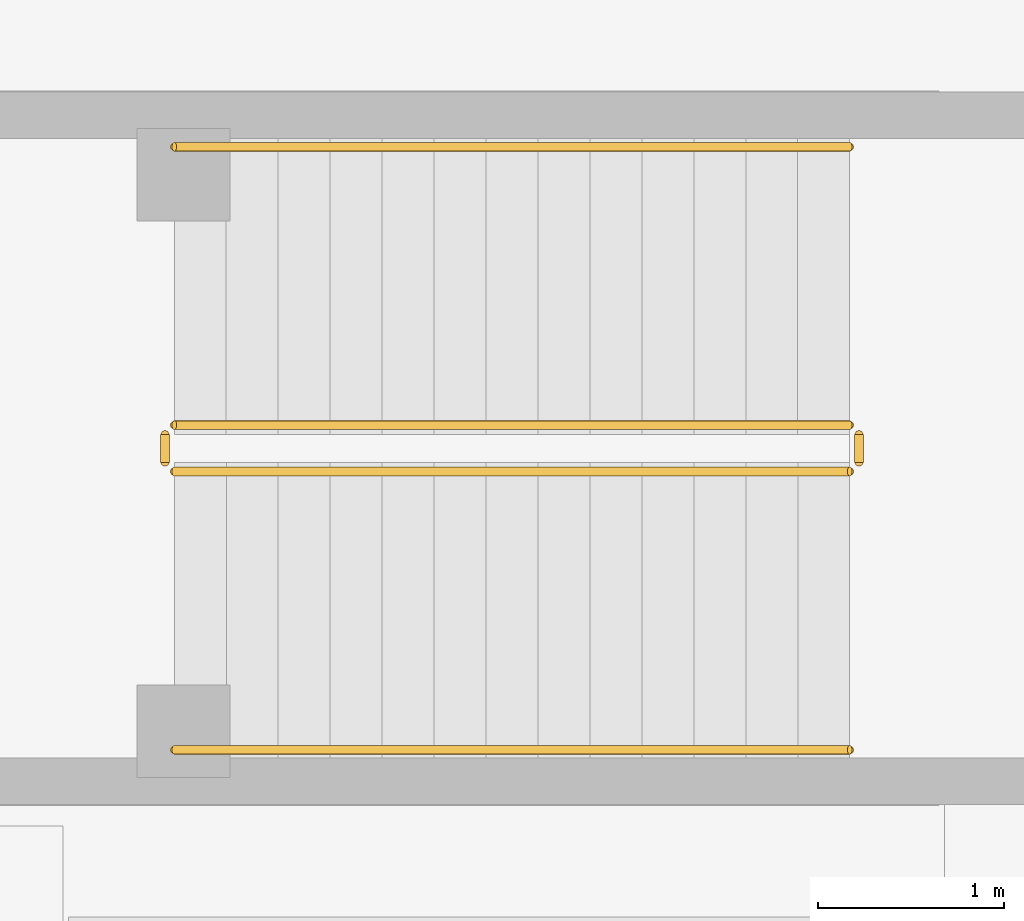
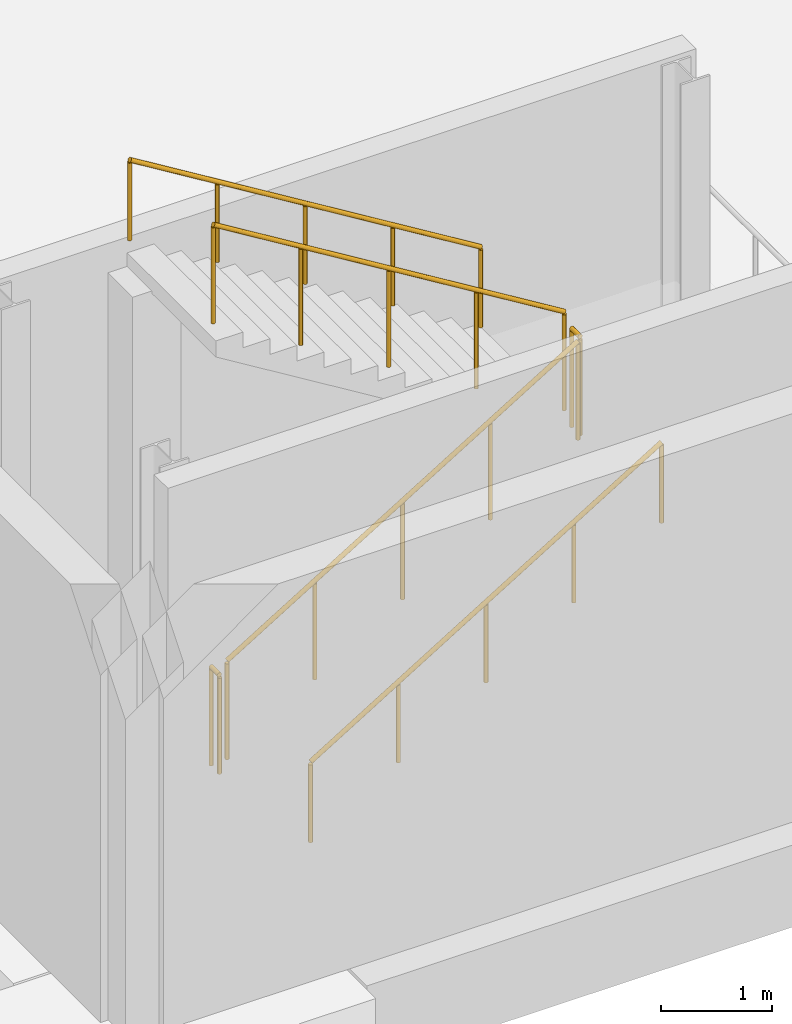
# One storey, part 32 of 37: 6 railings.
"""IFC4 building model written with IfcOpenShell, lengths in metres."""

from ifc_helpers import new_model, si_unit, direction, frame, origin, origin_2d, place, context, subcontext, project, spatial, circle, extrude, material, type_object, element, save


model = new_model("IFC4")

# Units and contexts
model_context = context("Model", 3, precision=1e-05, world=origin(), true_north=direction((0.0, 1.0)))
body_context = subcontext(model_context, "Body", "Model", "MODEL_VIEW")
ifc_project = project(units=[si_unit("LENGTHUNIT", "METRE"), si_unit("AREAUNIT", "SQUARE_METRE"), si_unit("VOLUMEUNIT", "CUBIC_METRE"), si_unit("PLANEANGLEUNIT", "RADIAN"), si_unit("MASSUNIT", "GRAM", prefix="KILO")], contexts=[model_context])

# Site, building, storey
site_placement = place(None, origin())
site = spatial("IfcSite", under=ifc_project, at=site_placement, CompositionType="ELEMENT")
building_placement = place(site_placement, origin())
building = spatial("IfcBuilding", under=site, at=building_placement, Name="Kaelora Sail Theatre", CompositionType="ELEMENT")
storey_placement = place(building_placement, frame((0.0, 0.0, -4.800048828125)))
storey = spatial("IfcBuildingStorey", under=building, at=storey_placement, Name="B1", CompositionType="ELEMENT", Elevation=-4.800048828125)

# Railings
ifc_material_1 = material(Name="Brushed stainless steel 316L tubular handrail", Category="steel")
railing_type_1 = type_object("IfcRailingType", Name="ARC-RL-HND", PredefinedType="HANDRAIL", material=ifc_material_1)
railing_1_placement = place(storey_placement, frame((60.75, 10.25, 0.17138671875)))
element("IfcRailing", 1, at=railing_1_placement, inside=storey, type_object=railing_type_1, Name="B1 ST-PLZ stair handrail 1", PredefinedType="HANDRAIL", context=body_context, shape_type="SweptSolid", body=[
    extrude(circle(Radius=0.02392578125, at=origin_2d()), frame((0.0, 0.0, 0.8759765625), z_axis=(0.852824790078, 0.0, 0.522197163366), x_axis=(0.0, 1.0, 0.0)), (0.0, 0.0, 1.0), 4.26806640625),
    extrude(circle(Radius=0.02099609375, at=origin_2d()), origin(), (0.0, 0.0, 1.0), 0.851806640625),
    extrude(circle(Radius=0.02099609375, at=origin_2d()), frame((0.909912109375, 0.0, 0.55712890625)), (0.0, 0.0, 1.0), 0.851806640625),
    extrude(circle(Radius=0.02099609375, at=origin_2d()), frame((1.81982421875, 0.0, 1.1142578125)), (0.0, 0.0, 1.0), 0.851806640625),
    extrude(circle(Radius=0.02099609375, at=origin_2d()), frame((2.72998046875, 0.0, 1.671630859375)), (0.0, 0.0, 1.0), 0.851806640625),
    extrude(circle(Radius=0.02099609375, at=origin_2d()), frame((3.639892578125, 0.0, 2.228759765625)), (0.0, 0.0, 1.0), 0.851806640625),
])
railing_2_placement = place(storey_placement, frame((64.389892578125, 13.5, 2.571533203125)))
element("IfcRailing", 2, at=railing_2_placement, inside=storey, type_object=railing_type_1, Name="B1 ST-PLZ stair handrail 2", PredefinedType="HANDRAIL", context=body_context, shape_type="SweptSolid", body=[
    extrude(circle(Radius=0.02392578125, at=origin_2d()), frame((0.0, 0.0, 0.8759765625), z_axis=(-0.852850264322, 0.0, 0.5221555579), x_axis=(0.0, -1.0, 0.0)), (0.0, 0.0, 1.0), 4.267822265625),
    extrude(circle(Radius=0.02099609375, at=origin_2d()), origin(), (0.0, 0.0, 1.0), 0.851806640625),
    extrude(circle(Radius=0.02099609375, at=origin_2d()), frame((-0.909912109375, 0.0, 0.55712890625)), (0.0, 0.0, 1.0), 0.851806640625),
    extrude(circle(Radius=0.02099609375, at=origin_2d()), frame((-1.81982421875, 0.0, 1.1142578125)), (0.0, 0.0, 1.0), 0.851806640625),
    extrude(circle(Radius=0.02099609375, at=origin_2d()), frame((-2.72998046875, 0.0, 1.67138671875)), (0.0, 0.0, 1.0), 0.851806640625),
    extrude(circle(Radius=0.02099609375, at=origin_2d()), frame((-3.639892578125, 0.0, 2.228515625)), (0.0, 0.0, 1.0), 0.851806640625),
])
ifc_material_2 = material(Name="Stainless steel 316L and laminated glass balustrade", Category="steel")
railing_type_2 = type_object("IfcRailingType", Name="ARC-RL-TER", PredefinedType="GUARDRAIL", material=ifc_material_2)
railing_3_placement = place(storey_placement, frame((60.75, 11.75, 0.17138671875)))
element("IfcRailing", 3, at=railing_3_placement, inside=storey, type_object=railing_type_2, Name="B1 ST-PLZ stair guard 1", PredefinedType="GUARDRAIL", context=body_context, shape_type="SweptSolid", body=[
    extrude(circle(Radius=0.02392578125, at=origin_2d()), frame((0.0, 0.0, 1.076171875), z_axis=(0.852824790078, 0.0, 0.522197163366), x_axis=(0.0, 1.0, 0.0)), (0.0, 0.0, 1.0), 4.26806640625),
    extrude(circle(Radius=0.02099609375, at=origin_2d()), origin(), (0.0, 0.0, 1.0), 1.052001953125),
    extrude(circle(Radius=0.02099609375, at=origin_2d()), frame((0.909912109375, 0.0, 0.55712890625)), (0.0, 0.0, 1.0), 1.052001953125),
    extrude(circle(Radius=0.02099609375, at=origin_2d()), frame((1.81982421875, 0.0, 1.1142578125)), (0.0, 0.0, 1.0), 1.052001953125),
    extrude(circle(Radius=0.02099609375, at=origin_2d()), frame((2.72998046875, 0.0, 1.671630859375)), (0.0, 0.0, 1.0), 1.052001953125),
    extrude(circle(Radius=0.02099609375, at=origin_2d()), frame((3.639892578125, 0.0, 2.228759765625)), (0.0, 0.0, 1.0), 1.052001953125),
])
railing_4_placement = place(storey_placement, frame((64.43994140625, 11.800048828125, 2.400146484375)))
element("IfcRailing", 4, at=railing_4_placement, inside=storey, type_object=railing_type_2, Name="B1 ST-PLZ stair guard 2", PredefinedType="GUARDRAIL", context=body_context, shape_type="SweptSolid", body=[
    extrude(circle(Radius=0.02392578125, at=origin_2d()), frame((0.0, 0.0, 1.076171875), z_axis=(0.0, 1.0, 0.0), x_axis=(-1.0, 0.0, 0.0)), (0.0, 0.0, 1.0), 0.14990234375),
    extrude(circle(Radius=0.02099609375, at=origin_2d()), origin(), (0.0, 0.0, 1.0), 1.052001953125),
    extrude(circle(Radius=0.02099609375, at=origin_2d()), frame((0.0, 0.14990234375, 0.0)), (0.0, 0.0, 1.0), 1.052001953125),
])
railing_5_placement = place(storey_placement, frame((64.389892578125, 12.0, 2.571533203125)))
element("IfcRailing", 5, at=railing_5_placement, inside=storey, type_object=railing_type_2, Name="B1 ST-PLZ stair guard 3", PredefinedType="GUARDRAIL", context=body_context, shape_type="SweptSolid", body=[
    extrude(circle(Radius=0.02392578125, at=origin_2d()), frame((0.0, 0.0, 1.076171875), z_axis=(-0.852850264322, 0.0, 0.5221555579), x_axis=(0.0, -1.0, 0.0)), (0.0, 0.0, 1.0), 4.267822265625),
    extrude(circle(Radius=0.02099609375, at=origin_2d()), origin(), (0.0, 0.0, 1.0), 1.052001953125),
    extrude(circle(Radius=0.02099609375, at=origin_2d()), frame((-0.909912109375, 0.0, 0.55712890625)), (0.0, 0.0, 1.0), 1.052001953125),
    extrude(circle(Radius=0.02099609375, at=origin_2d()), frame((-1.81982421875, 0.0, 1.1142578125)), (0.0, 0.0, 1.0), 1.052001953125),
    extrude(circle(Radius=0.02099609375, at=origin_2d()), frame((-2.72998046875, 0.0, 1.67138671875)), (0.0, 0.0, 1.0), 1.052001953125),
    extrude(circle(Radius=0.02099609375, at=origin_2d()), frame((-3.639892578125, 0.0, 2.228515625)), (0.0, 0.0, 1.0), 1.052001953125),
])
railing_6_placement = place(storey_placement, frame((60.699951171875, 11.800048828125, 0.0)))
element("IfcRailing", 6, at=railing_6_placement, inside=storey, type_object=railing_type_2, Name="B1 ST-PLZ stair guard 4", PredefinedType="GUARDRAIL", context=body_context, shape_type="SweptSolid", body=[
    extrude(circle(Radius=0.02392578125, at=origin_2d()), frame((0.0, 0.0, 1.076171875), z_axis=(0.0, 1.0, 0.0), x_axis=(-1.0, 0.0, 0.0)), (0.0, 0.0, 1.0), 0.14990234375),
    extrude(circle(Radius=0.02099609375, at=origin_2d()), origin(), (0.0, 0.0, 1.0), 1.052001953125),
    extrude(circle(Radius=0.02099609375, at=origin_2d()), frame((0.0, 0.14990234375, 0.0)), (0.0, 0.0, 1.0), 1.052001953125),
])

save(model, "model.ifc")
